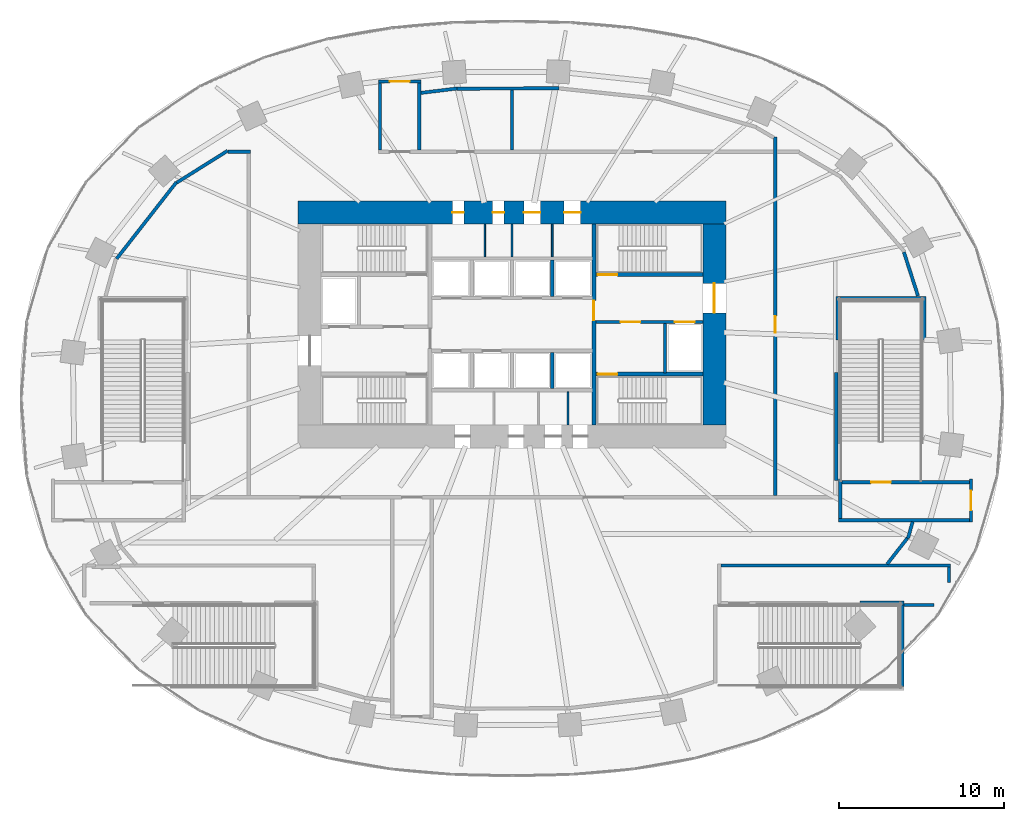
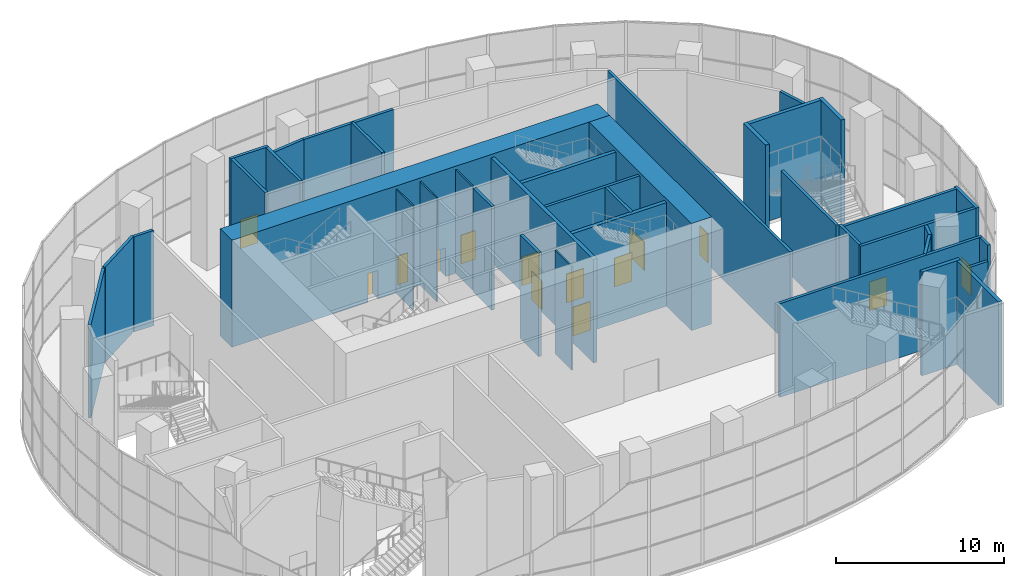
# One storey, part 15 of 22: 39 walls, 14 doors, 14 openings.
"""IFC4 building model written with IfcOpenShell, lengths in metres."""

from ifc_helpers import new_model, si_unit, direction, frame, frame_2d, origin, place, context, subcontext, project, spatial, rectangle, extrude, material, layer, layer_set, type_object, element, fill, save


model = new_model("IFC4")

# Units and contexts
model_context = context("Model", 3, precision=1e-05, world=origin(), true_north=direction((0.0, 1.0)))
body_context = subcontext(model_context, "Body", "Model", "MODEL_VIEW")
ifc_project = project(units=[si_unit("LENGTHUNIT", "METRE"), si_unit("AREAUNIT", "SQUARE_METRE"), si_unit("VOLUMEUNIT", "CUBIC_METRE"), si_unit("PLANEANGLEUNIT", "RADIAN"), si_unit("MASSUNIT", "GRAM", prefix="KILO")], contexts=[model_context])

# Site, building, storey
site_placement = place(None, origin())
site = spatial("IfcSite", under=ifc_project, at=site_placement, CompositionType="ELEMENT")
building_placement = place(site_placement, origin())
building = spatial("IfcBuilding", under=site, at=building_placement, Name="Rubra Terraces Tower", CompositionType="ELEMENT")
storey_placement = place(building_placement, frame((0.0, 0.0, 7.199951171875)))
storey = spatial("IfcBuildingStorey", under=building, at=storey_placement, Name="L01", CompositionType="ELEMENT", Elevation=7.199951171875)

# Wall, openings, doors
ifc_material_1 = material(Name="Concrete C70", Category="concrete")
ifc_layer_1 = layer(ifc_material_1, 1.39990234375)
ifc_layer_set_1 = layer_set([ifc_layer_1], Name="Concrete C70")
wall_type_1 = type_object("IfcWallType", Name="CORE WALL 1400 C70", PredefinedType="SHEAR", material=ifc_layer_set_1)
wall_1_placement = place(storey_placement, frame((-13.0, 11.300048828125, 0.0), z_axis=(0.0, 0.0, 1.0), x_axis=(1.0, 0.0, 0.0)))
wall_1 = element("IfcWall", 1, at=wall_1_placement, inside=storey, type_object=wall_type_1, Name="CORE WALL N L01", PredefinedType="SHEAR", context=body_context, shape_type="SweptSolid", body=[
    extrude(rectangle(XDim=26.0, YDim=1.39990234375, at=frame_2d((13.0, 0.0))), origin(), (0.0, 0.0, 1.0), 7.800048828125),
])
opening_1_placement = place(wall_1_placement, frame((9.375, 0.0, 0.0)))
opening_1 = element("IfcOpeningElement", 2, at=opening_1_placement, cuts=wall_1, Name="Opening L01.C23", PredefinedType="OPENING", context=body_context, shape_type="SweptSolid", body=[
    extrude(rectangle(XDim=0.699951171875, YDim=2.10009765625, at=frame_2d((0.35009765625, 1.050048828125))), frame((0.0, 0.7099609375, 0.0), z_axis=(0.0, -1.0, 0.0), x_axis=(1.0, 0.0, 0.0)), (0.0, 0.0, 1.0), 1.419921875),
])
opening_2_placement = place(wall_1_placement, frame((11.824951171875, 0.0, 0.0)))
opening_2 = element("IfcOpeningElement", 3, at=opening_2_placement, cuts=wall_1, Name="Opening L01.C24", PredefinedType="OPENING", context=body_context, shape_type="SweptSolid", body=[
    extrude(rectangle(XDim=0.699951171875, YDim=2.10009765625, at=frame_2d((0.35009765625, 1.050048828125))), frame((0.0, 0.7099609375, 0.0), z_axis=(0.0, -1.0, 0.0), x_axis=(1.0, 0.0, 0.0)), (0.0, 0.0, 1.0), 1.419921875),
])
opening_3_placement = place(wall_1_placement, frame((13.72509765625, 0.0, 0.0)))
opening_3 = element("IfcOpeningElement", 4, at=opening_3_placement, cuts=wall_1, Name="Opening L01.C25", PredefinedType="OPENING", context=body_context, shape_type="SweptSolid", body=[
    extrude(rectangle(XDim=1.0, YDim=2.10009765625, at=frame_2d((0.5, 1.050048828125))), frame((0.0, 0.7099609375, 0.0), z_axis=(0.0, -1.0, 0.0), x_axis=(1.0, 0.0, 0.0)), (0.0, 0.0, 1.0), 1.419921875),
])
opening_4_placement = place(wall_1_placement, frame((16.175048828125, 0.0, 0.0)))
opening_4 = element("IfcOpeningElement", 5, at=opening_4_placement, cuts=wall_1, Name="Opening L01.C26", PredefinedType="OPENING", context=body_context, shape_type="SweptSolid", body=[
    extrude(rectangle(XDim=1.0, YDim=2.10009765625, at=frame_2d((0.5, 1.050048828125))), frame((0.0, 0.7099609375, 0.0), z_axis=(0.0, -1.0, 0.0), x_axis=(1.0, 0.0, 0.0)), (0.0, 0.0, 1.0), 1.419921875),
])
ifc_material_2 = material(Name="Painted steel", Category="steel")
door_type_1 = type_object("IfcDoorType", Name="Fire door 1000x2100 single", OperationType="NOTDEFINED", PredefinedType="DOOR", material=ifc_material_2)
door_1_placement = place(opening_3_placement, origin())
door_1 = element("IfcDoor", 6, at=door_1_placement, inside=storey, type_object=door_type_1, Name="Security and building control room door", OperationType="SINGLE_SWING_LEFT", OverallHeight=2.10009765625, OverallWidth=1.0, PredefinedType="DOOR", context=body_context, shape_type="SweptSolid", body=[
    extrude(rectangle(XDim=1.0, YDim=2.10009765625, at=frame_2d((0.5, 1.050048828125))), frame((0.0, 0.02490234375, 0.0), z_axis=(0.0, -1.0, 0.0), x_axis=(1.0, 0.0, 0.0)), (0.0, 0.0, 1.0), 0.050048828125),
])
fill(opening_3, door_1)
door_2_placement = place(opening_4_placement, origin())
door_2 = element("IfcDoor", 7, at=door_2_placement, inside=storey, type_object=door_type_1, Name="General store door", OperationType="SINGLE_SWING_RIGHT", OverallHeight=2.10009765625, OverallWidth=1.0, PredefinedType="DOOR", context=body_context, shape_type="SweptSolid", body=[
    extrude(rectangle(XDim=1.0, YDim=2.10009765625, at=frame_2d((0.5, 1.050048828125))), frame((0.0, 0.02490234375, 0.0), z_axis=(0.0, -1.0, 0.0), x_axis=(1.0, 0.0, 0.0)), (0.0, 0.0, 1.0), 0.050048828125),
])
fill(opening_4, door_2)
door_type_2 = type_object("IfcDoorType", Name="Riser access door 700x2100 single", OperationType="NOTDEFINED", PredefinedType="DOOR", material=ifc_material_2)
door_3_placement = place(opening_1_placement, origin())
door_3 = element("IfcDoor", 8, at=door_3_placement, inside=storey, type_object=door_type_2, Name="Electrical riser room door", OperationType="SINGLE_SWING_LEFT", OverallHeight=2.10009765625, OverallWidth=0.699951171875, PredefinedType="DOOR", context=body_context, shape_type="SweptSolid", body=[
    extrude(rectangle(XDim=0.699951171875, YDim=2.10009765625, at=frame_2d((0.35009765625, 1.050048828125))), frame((0.0, 0.02490234375, 0.0), z_axis=(0.0, -1.0, 0.0), x_axis=(1.0, 0.0, 0.0)), (0.0, 0.0, 1.0), 0.050048828125),
])
fill(opening_1, door_3)
door_4_placement = place(opening_2_placement, origin())
door_4 = element("IfcDoor", 9, at=door_4_placement, inside=storey, type_object=door_type_2, Name="Telecoms room door", OperationType="SINGLE_SWING_RIGHT", OverallHeight=2.10009765625, OverallWidth=0.699951171875, PredefinedType="DOOR", context=body_context, shape_type="SweptSolid", body=[
    extrude(rectangle(XDim=0.699951171875, YDim=2.10009765625, at=frame_2d((0.35009765625, 1.050048828125))), frame((0.0, 0.02490234375, 0.0), z_axis=(0.0, -1.0, 0.0), x_axis=(1.0, 0.0, 0.0)), (0.0, 0.0, 1.0), 0.050048828125),
])
fill(opening_2, door_4)

# Wall, opening, door
wall_2_placement = place(storey_placement, frame((12.300048828125, -1.60009765625, 0.0), z_axis=(0.0, 0.0, 1.0), x_axis=(0.0, 1.0, 0.0)))
wall_2 = element("IfcWall", 10, at=wall_2_placement, inside=storey, type_object=wall_type_1, Name="CORE WALL E L01", PredefinedType="SHEAR", context=body_context, shape_type="SweptSolid", body=[
    extrude(rectangle(XDim=12.2001953125, YDim=1.39990234375, at=frame_2d((6.10009765625, 0.0))), origin(), (0.0, 0.0, 1.0), 7.800048828125),
])
opening_5_placement = place(wall_2_placement, frame((6.800048828125, 0.0, 0.0)))
opening_5 = element("IfcOpeningElement", 11, at=opening_5_placement, cuts=wall_2, Name="Opening L01.C02", PredefinedType="OPENING", context=body_context, shape_type="SweptSolid", body=[
    extrude(rectangle(XDim=1.800048828125, YDim=2.10009765625, at=frame_2d((0.89990234375, 1.050048828125))), frame((0.0, 0.7099609375, 0.0), z_axis=(0.0, -1.0, 0.0), x_axis=(1.0, 0.0, 0.0)), (0.0, 0.0, 1.0), 1.419921875),
])
door_type_3 = type_object("IfcDoorType", Name="Fire door 1800x2100 double", OperationType="NOTDEFINED", PredefinedType="DOOR", material=ifc_material_2)
door_5_placement = place(opening_5_placement, origin())
door_5 = element("IfcDoor", 12, at=door_5_placement, inside=storey, type_object=door_type_3, Name="Core entrance door FF2", OperationType="DOUBLE_DOOR_SINGLE_SWING", OverallHeight=2.10009765625, OverallWidth=1.800048828125, PredefinedType="DOOR", context=body_context, shape_type="SweptSolid", body=[
    extrude(rectangle(XDim=1.800048828125, YDim=2.10009765625, at=frame_2d((0.89990234375, 1.050048828125))), frame((0.0, 0.02490234375, 0.0), z_axis=(0.0, -1.0, 0.0), x_axis=(1.0, 0.0, 0.0)), (0.0, 0.0, 1.0), 0.050048828125),
])
fill(opening_5, door_5)

# Wall, openings, doors
ifc_material_3 = material(Name="Concrete C30", Category="concrete")
ifc_layer_2 = layer(ifc_material_3, 0.199951171875)
ifc_layer_set_2 = layer_set([ifc_layer_2], Name="Concrete C30")
wall_type_2 = type_object("IfcWallType", Name="Core wall 200 concrete", PredefinedType="SOLIDWALL", material=ifc_layer_set_2)
wall_3_placement = place(storey_placement, frame((11.60009765625, 4.64990234375, 0.0), z_axis=(0.0, 0.0, 1.0), x_axis=(-1.0, 0.0, 0.0)))
wall_3 = element("IfcWall", 13, at=wall_3_placement, inside=storey, type_object=wall_type_2, Name="STAIR WALL L01", PredefinedType="SOLIDWALL", context=body_context, shape_type="SweptSolid", body=[
    extrude(rectangle(XDim=6.5, YDim=0.199951171875, at=frame_2d((3.25, 0.0))), origin(), (0.0, 0.0, 1.0), 7.550048828125),
])
opening_6_placement = place(wall_3_placement, frame((3.800048828125, 0.0, 0.0)))
opening_6 = element("IfcOpeningElement", 14, at=opening_6_placement, cuts=wall_3, Name="Opening L01.C06", PredefinedType="OPENING", context=body_context, shape_type="SweptSolid", body=[
    extrude(rectangle(XDim=1.199951171875, YDim=2.10009765625, at=frame_2d((0.60009765625, 1.050048828125))), frame((0.0, 0.10986328125, 0.0), z_axis=(0.0, -1.0, 0.0), x_axis=(1.0, 0.0, 0.0)), (0.0, 0.0, 1.0), 0.219970703125),
])
opening_7_placement = place(wall_3_placement, frame((0.5, 0.0, 0.0)))
opening_7 = element("IfcOpeningElement", 15, at=opening_7_placement, cuts=wall_3, Name="Opening L01.C12", PredefinedType="OPENING", context=body_context, shape_type="SweptSolid", body=[
    extrude(rectangle(XDim=1.199951171875, YDim=2.10009765625, at=frame_2d((0.60009765625, 1.050048828125))), frame((0.0, 0.10986328125, 0.0), z_axis=(0.0, -1.0, 0.0), x_axis=(1.0, 0.0, 0.0)), (0.0, 0.0, 1.0), 0.219970703125),
])
door_type_4 = type_object("IfcDoorType", Name="Fire door 1200x2100 single", OperationType="NOTDEFINED", PredefinedType="DOOR", material=ifc_material_2)
door_6_placement = place(opening_6_placement, origin())
door_6 = element("IfcDoor", 16, at=door_6_placement, inside=storey, type_object=door_type_4, Name="Stair vestibule door S4", OperationType="SINGLE_SWING_RIGHT", OverallHeight=2.10009765625, OverallWidth=1.199951171875, PredefinedType="DOOR", context=body_context, shape_type="SweptSolid", body=[
    extrude(rectangle(XDim=1.199951171875, YDim=2.10009765625, at=frame_2d((0.60009765625, 1.050048828125))), frame((0.0, 0.02490234375, 0.0), z_axis=(0.0, -1.0, 0.0), x_axis=(1.0, 0.0, 0.0)), (0.0, 0.0, 1.0), 0.050048828125),
])
fill(opening_6, door_6)
ifc_material_4 = material(Name="Stainless steel", Category="steel")
door_type_5 = type_object("IfcDoorType", Name="Lift landing door 1200x2100", OperationType="NOTDEFINED", PredefinedType="DOOR", material=ifc_material_4)
door_7_placement = place(opening_7_placement, origin())
door_7 = element("IfcDoor", 17, at=door_7_placement, inside=storey, type_object=door_type_5, Name="Landing door FF2", OperationType="SLIDING_TO_RIGHT", OverallHeight=2.10009765625, OverallWidth=1.199951171875, PredefinedType="DOOR", context=body_context, shape_type="SweptSolid", body=[
    extrude(rectangle(XDim=1.199951171875, YDim=2.10009765625, at=frame_2d((0.60009765625, 1.050048828125))), frame((0.0, 0.02490234375, 0.0), z_axis=(0.0, -1.0, 0.0), x_axis=(1.0, 0.0, 0.0)), (0.0, 0.0, 1.0), 0.050048828125),
])
fill(opening_7, door_7)

# Walls
wall_4_placement = place(storey_placement, frame((9.300048828125, 4.550048828125, 0.0), z_axis=(0.0, 0.0, 1.0), x_axis=(0.0, -1.0, 0.0)))
element("IfcWall", 18, at=wall_4_placement, inside=storey, type_object=wall_type_2, Name="STAIR WALL L01", PredefinedType="SOLIDWALL", context=body_context, shape_type="SweptSolid", body=[
    extrude(rectangle(XDim=3.0, YDim=0.199951171875, at=frame_2d((1.5, 0.0))), origin(), (0.0, 0.0, 1.0), 7.550048828125),
])
for number, where, z_axis, x_axis, name in (
    (19, (2.449951171875, 0.60009765625, 0.0), (0.0, 0.0, 1.0), (0.0, 1.0, 0.0), "LIFT SHAFT WALL L01"),
    (20, (2.449951171875, 6.199951171875, 0.0), (0.0, 0.0, 1.0), (0.0, 1.0, 0.0), "LIFT SHAFT WALL L01"),
):
    element("IfcWall", number, at=place(storey_placement, frame(where, z_axis=z_axis, x_axis=x_axis)), inside=storey, type_object=wall_type_2, Name=name, PredefinedType="SOLIDWALL", context=body_context, shape_type="SweptSolid", body=[
        extrude(rectangle(XDim=2.199951171875, YDim=0.199951171875, at=frame_2d((1.10009765625, 0.0))), origin(), (0.0, 0.0, 1.0), 7.550048828125),
    ])

# Wall, opening, door
ifc_material_5 = material(Name="Blockwork", Category="masonry")
ifc_layer_3 = layer(ifc_material_5, 0.199951171875)
ifc_layer_set_3 = layer_set([ifc_layer_3], Name="Blockwork")
wall_type_3 = type_object("IfcWallType", Name="Corridor partition 200 blockwork", PredefinedType="PARTITIONING", material=ifc_layer_set_3)
wall_5_placement = place(storey_placement, frame((27.89990234375, -4.89990234375, 0.0), z_axis=(0.0, 0.0, 1.0), x_axis=(0.0, -1.0, 0.0)))
wall_5 = element("IfcWall", 21, at=wall_5_placement, inside=storey, type_object=wall_type_3, Name="Partition wall", PredefinedType="PARTITIONING", context=body_context, shape_type="SweptSolid", body=[
    extrude(rectangle(XDim=2.60009765625, YDim=0.199951171875, at=frame_2d((1.300048828125, 0.0))), origin(), (0.0, 0.0, 1.0), 6.830078125),
])
opening_8_placement = place(wall_5_placement, frame((0.699951171875, 0.0, 0.0)))
opening_8 = element("IfcOpeningElement", 22, at=opening_8_placement, cuts=wall_5, Name="Opening DB7", PredefinedType="OPENING", context=body_context, shape_type="SweptSolid", body=[
    extrude(rectangle(XDim=1.199951171875, YDim=2.10009765625, at=frame_2d((0.60009765625, 1.050048828125))), frame((0.0, 0.10986328125, 0.0), z_axis=(0.0, -1.0, 0.0), x_axis=(1.0, 0.0, 0.0)), (0.0, 0.0, 1.0), 0.219970703125),
])
ifc_material_6 = material(Name="Painted timber", Category="wood")
door_type_6 = type_object("IfcDoorType", Name="Door 1200x2100 single", OperationType="NOTDEFINED", PredefinedType="DOOR", material=ifc_material_6)
door_8_placement = place(opening_8_placement, origin())
door_8 = element("IfcDoor", 23, at=door_8_placement, inside=storey, type_object=door_type_6, Name="Door L01-08", OperationType="SINGLE_SWING_LEFT", OverallHeight=2.10009765625, OverallWidth=1.199951171875, PredefinedType="DOOR", context=body_context, shape_type="SweptSolid", body=[
    extrude(rectangle(XDim=1.199951171875, YDim=2.10009765625, at=frame_2d((0.60009765625, 1.050048828125))), frame((0.0, 0.02490234375, 0.0), z_axis=(0.0, -1.0, 0.0), x_axis=(1.0, 0.0, 0.0)), (0.0, 0.0, 1.0), 0.050048828125),
])
fill(opening_8, door_8)

# Walls
wall_6_placement = place(storey_placement, frame((27.800048828125, -7.39990234375, 0.0), z_axis=(0.0, 0.0, 1.0), x_axis=(-1.0, 0.0, 0.0)))
element("IfcWall", 24, at=wall_6_placement, inside=storey, type_object=wall_type_3, Name="Partition wall", PredefinedType="PARTITIONING", context=body_context, shape_type="SweptSolid", body=[
    extrude(rectangle(XDim=7.949951171875, YDim=0.199951171875, at=frame_2d((3.97509765625, 0.0))), origin(), (0.0, 0.0, 1.0), 6.830078125),
])
wall_7_placement = place(storey_placement, frame((19.949951171875, -7.300048828125, 0.0), z_axis=(0.0, 0.0, 1.0), x_axis=(0.0, 1.0, 0.0)))
element("IfcWall", 25, at=wall_7_placement, inside=storey, type_object=wall_type_3, Name="Partition wall", PredefinedType="PARTITIONING", context=body_context, shape_type="SweptSolid", body=[
    extrude(rectangle(XDim=2.400146484375, YDim=0.199951171875, at=frame_2d((1.2001953125, 0.0))), origin(), (0.0, 0.0, 1.0), 6.830078125),
])

# Wall, opening, door
wall_8_placement = place(storey_placement, frame((20.050048828125, -5.10009765625, 0.0), z_axis=(0.0, 0.0, 1.0), x_axis=(1.0, 0.0, 0.0)))
wall_8 = element("IfcWall", 26, at=wall_8_placement, inside=storey, type_object=wall_type_3, Name="Partition wall", PredefinedType="PARTITIONING", context=body_context, shape_type="SweptSolid", body=[
    extrude(rectangle(XDim=7.75, YDim=0.199951171875, at=frame_2d((3.875, 0.0))), origin(), (0.0, 0.0, 1.0), 6.830078125),
])
opening_9_placement = place(wall_8_placement, frame((1.77490234375, 0.0, 0.0)))
opening_9 = element("IfcOpeningElement", 27, at=opening_9_placement, cuts=wall_8, Name="Opening DB7", PredefinedType="OPENING", context=body_context, shape_type="SweptSolid", body=[
    extrude(rectangle(XDim=1.199951171875, YDim=2.10009765625, at=frame_2d((0.60009765625, 1.050048828125))), frame((0.0, 0.10986328125, 0.0), z_axis=(0.0, -1.0, 0.0), x_axis=(1.0, 0.0, 0.0)), (0.0, 0.0, 1.0), 0.219970703125),
])
door_9_placement = place(opening_9_placement, origin())
door_9 = element("IfcDoor", 28, at=door_9_placement, inside=storey, type_object=door_type_6, Name="Stair door L01-07", OperationType="SINGLE_SWING_LEFT", OverallHeight=2.10009765625, OverallWidth=1.199951171875, PredefinedType="DOOR", context=body_context, shape_type="SweptSolid", body=[
    extrude(rectangle(XDim=1.199951171875, YDim=2.10009765625, at=frame_2d((0.60009765625, 1.050048828125))), frame((0.0, 0.02490234375, 0.0), z_axis=(0.0, -1.0, 0.0), x_axis=(1.0, 0.0, 0.0)), (0.0, 0.0, 1.0), 0.050048828125),
])
fill(opening_9, door_9)

# Walls
wall_9_placement = place(storey_placement, frame((25.659912109375, -12.550048828125, 0.0), z_axis=(0.0, 0.0, 1.0), x_axis=(-1.0, 0.0, 0.0)))
element("IfcWall", 29, at=wall_9_placement, inside=storey, type_object=wall_type_3, Name="Partition wall", PredefinedType="PARTITIONING", context=body_context, shape_type="SweptSolid", body=[
    extrude(rectangle(XDim=1.829833984375, YDim=0.199951171875, at=frame_2d((0.9150390625, 0.0))), origin(), (0.0, 0.0, 1.0), 6.830078125),
])
wall_10_placement = place(storey_placement, frame((12.699951171875, -10.14990234375, 0.0), z_axis=(0.0, 0.0, 1.0), x_axis=(1.0, 0.0, 0.0)))
element("IfcWall", 30, at=wall_10_placement, inside=storey, type_object=wall_type_3, Name="Partition wall", PredefinedType="PARTITIONING", context=body_context, shape_type="SweptSolid", body=[
    extrude(rectangle(XDim=13.9599609375, YDim=0.199951171875, at=frame_2d((6.97998046875, 0.0))), origin(), (0.0, 0.0, 1.0), 6.830078125),
])
wall_11_placement = place(storey_placement, frame((26.56005859375, -10.25, 0.0), z_axis=(0.0, 0.0, 1.0), x_axis=(0.0, -1.0, 0.0)))
element("IfcWall", 31, at=wall_11_placement, inside=storey, type_object=wall_type_3, Name="Partition wall", PredefinedType="PARTITIONING", context=body_context, shape_type="SweptSolid", body=[
    extrude(rectangle(XDim=0.93896484375, YDim=0.199951171875, at=frame_2d((0.469482421875, 0.0))), origin(), (0.0, 0.0, 1.0), 6.830078125),
])

# Wall, opening, door
wall_12_placement = place(storey_placement, frame((-8.1279296875, 19.258056640625, 0.0), z_axis=(0.0, 0.0, 1.0), x_axis=(1.0, 0.0, 0.0)))
wall_12 = element("IfcWall", 32, at=wall_12_placement, inside=storey, type_object=wall_type_3, Name="Partition wall", PredefinedType="PARTITIONING", context=body_context, shape_type="SweptSolid", body=[
    extrude(rectangle(XDim=2.599853515625, YDim=0.199951171875, at=frame_2d((1.2998046875, 0.0))), origin(), (0.0, 0.0, 1.0), 6.830078125),
])
opening_10_placement = place(wall_12_placement, frame((0.699951171875, 0.0, 0.0)))
opening_10 = element("IfcOpeningElement", 33, at=opening_10_placement, cuts=wall_12, Name="Opening DB7", PredefinedType="OPENING", context=body_context, shape_type="SweptSolid", body=[
    extrude(rectangle(XDim=1.199951171875, YDim=2.10009765625, at=frame_2d((0.60009765625, 1.050048828125))), frame((0.0, 0.10986328125, 0.0), z_axis=(0.0, -1.0, 0.0), x_axis=(1.0, 0.0, 0.0)), (0.0, 0.0, 1.0), 0.219970703125),
])
door_10_placement = place(opening_10_placement, origin())
door_10 = element("IfcDoor", 34, at=door_10_placement, inside=storey, type_object=door_type_6, Name="Door L01-02", OperationType="SINGLE_SWING_LEFT", OverallHeight=2.10009765625, OverallWidth=1.199951171875, PredefinedType="DOOR", context=body_context, shape_type="SweptSolid", body=[
    extrude(rectangle(XDim=1.199951171875, YDim=2.10009765625, at=frame_2d((0.60009765625, 1.050048828125))), frame((0.0, 0.02490234375, 0.0), z_axis=(0.0, -1.0, 0.0), x_axis=(1.0, 0.0, 0.0)), (0.0, 0.0, 1.0), 0.050048828125),
])
fill(opening_10, door_10)

# Walls
for number, where, z_axis, x_axis, name in (
    (35, (-5.6279296875, 19.157958984375, 0.0), (0.0, 0.0, 1.0), (0.0, -1.0, 0.0), "Partition wall"),
    (36, (-8.028076171875, 15.10009765625, 0.0), (0.0, 0.0, 1.0), (0.0, 1.0, 0.0), "Partition wall"),
):
    element("IfcWall", number, at=place(storey_placement, frame(where, z_axis=z_axis, x_axis=x_axis)), inside=storey, type_object=wall_type_3, Name=name, PredefinedType="PARTITIONING", context=body_context, shape_type="SweptSolid", body=[
        extrude(rectangle(XDim=4.057861328125, YDim=0.199951171875, at=frame_2d((2.02880859375, 0.0))), origin(), (0.0, 0.0, 1.0), 6.830078125),
    ])
wall_13_placement = place(storey_placement, frame((-24.031005859375, 8.486083984375, 0.0), z_axis=(0.0, 0.0, 1.0), x_axis=(0.615689744566, 0.787988666439, 0.0)))
element("IfcWall", 37, at=wall_13_placement, inside=storey, type_object=wall_type_3, Name="Partition wall", PredefinedType="PARTITIONING", context=body_context, shape_type="SweptSolid", body=[
    extrude(rectangle(XDim=5.90869140625, YDim=0.199951171875, at=frame_2d((2.954345703125, 0.0))), origin(), (0.0, 0.0, 1.0), 6.830078125),
])
wall_14_placement = place(storey_placement, frame((23.81689453125, 8.89111328125, 0.0), z_axis=(0.0, 0.0, 1.0), x_axis=(0.306913488124, -0.951737416942, 0.0)))
element("IfcWall", 38, at=wall_14_placement, inside=storey, type_object=wall_type_3, Name="Partition wall", PredefinedType="PARTITIONING", context=body_context, shape_type="SweptSolid", body=[
    extrude(rectangle(XDim=2.796142578125, YDim=0.199951171875, at=frame_2d((1.39794921875, 0.0))), origin(), (0.0, 0.0, 1.0), 6.830078125),
])

# Wall, opening, door
wall_15_placement = place(storey_placement, frame((16.0, -5.89990234375, 0.0), z_axis=(0.0, 0.0, 1.0), x_axis=(0.0, 1.0, 0.0)))
wall_15 = element("IfcWall", 39, at=wall_15_placement, inside=storey, type_object=wall_type_3, Name="Partition wall", PredefinedType="PARTITIONING", context=body_context, shape_type="SweptSolid", body=[
    extrude(rectangle(XDim=21.7919921875, YDim=0.199951171875, at=frame_2d((10.89599609375, 0.0))), origin(), (0.0, 0.0, 1.0), 6.830078125),
])
opening_11_placement = place(wall_15_placement, frame((9.89990234375, 0.0, 0.0)))
opening_11 = element("IfcOpeningElement", 40, at=opening_11_placement, cuts=wall_15, Name="Opening DB1", PredefinedType="OPENING", context=body_context, shape_type="SweptSolid", body=[
    extrude(rectangle(XDim=1.0, YDim=2.10009765625, at=frame_2d((0.5, 1.050048828125))), frame((0.0, 0.10986328125, 0.0), z_axis=(0.0, -1.0, 0.0), x_axis=(1.0, 0.0, 0.0)), (0.0, 0.0, 1.0), 0.219970703125),
])
door_type_7 = type_object("IfcDoorType", Name="Door 1000x2100 single", OperationType="NOTDEFINED", PredefinedType="DOOR", material=ifc_material_6)
door_11_placement = place(opening_11_placement, origin())
door_11 = element("IfcDoor", 41, at=door_11_placement, inside=storey, type_object=door_type_7, Name="Door L01-12", OperationType="SINGLE_SWING_LEFT", OverallHeight=2.10009765625, OverallWidth=1.0, PredefinedType="DOOR", context=body_context, shape_type="SweptSolid", body=[
    extrude(rectangle(XDim=1.0, YDim=2.10009765625, at=frame_2d((0.5, 1.050048828125))), frame((0.0, 0.02490234375, 0.0), z_axis=(0.0, -1.0, 0.0), x_axis=(1.0, 0.0, 0.0)), (0.0, 0.0, 1.0), 0.050048828125),
])
fill(opening_11, door_11)

# Walls
wall_16_placement = place(storey_placement, frame((-5.529052734375, 18.570068359375, 0.0), z_axis=(0.0, 0.0, 1.0), x_axis=(0.992659217013, 0.120944941522, 0.0)))
element("IfcWall", 42, at=wall_16_placement, inside=storey, type_object=wall_type_3, Name="Partition wall", PredefinedType="PARTITIONING", context=body_context, shape_type="SweptSolid", body=[
    extrude(rectangle(XDim=2.1982421875, YDim=0.199951171875, at=frame_2d((1.09912109375, 0.0))), origin(), (0.0, 0.0, 1.0), 6.830078125),
])
wall_17_placement = place(storey_placement, frame((-3.345947265625, 18.823974609375, 0.0), z_axis=(0.0, 0.0, 1.0), x_axis=(0.999988297333, 0.004837891778, 0.0)))
element("IfcWall", 43, at=wall_17_placement, inside=storey, type_object=wall_type_3, Name="Partition wall", PredefinedType="PARTITIONING", context=body_context, shape_type="SweptSolid", body=[
    extrude(rectangle(XDim=6.20703125, YDim=0.199951171875, at=frame_2d((3.103515625, 0.0))), origin(), (0.0, 0.0, 1.0), 6.830078125),
])
wall_18_placement = place(storey_placement, frame((24.344970703125, -7.49609375, 0.0), z_axis=(0.0, 0.0, 1.0), x_axis=(-0.267089429493, -0.963671747357, 0.0)))
element("IfcWall", 44, at=wall_18_placement, inside=storey, type_object=wall_type_3, Name="Partition wall", PredefinedType="PARTITIONING", context=body_context, shape_type="SweptSolid", body=[
    extrude(rectangle(XDim=1.044677734375, YDim=0.199951171875, at=frame_2d((0.5224609375, 0.0))), origin(), (0.0, 0.0, 1.0), 6.830078125),
])
wall_19_placement = place(storey_placement, frame((24.031005859375, -8.486083984375, 0.0), z_axis=(0.0, 0.0, 1.0), x_axis=(-0.615578080386, -0.788075901768, 0.0)))
element("IfcWall", 45, at=wall_19_placement, inside=storey, type_object=wall_type_3, Name="Partition wall", PredefinedType="PARTITIONING", context=body_context, shape_type="SweptSolid", body=[
    extrude(rectangle(XDim=2.01123046875, YDim=0.199951171875, at=frame_2d((1.005615234375, 0.0))), origin(), (0.0, 0.0, 1.0), 6.830078125),
])
ifc_layer_4 = layer(ifc_material_5, 0.199951171875)
ifc_layer_set_4 = layer_set([ifc_layer_4], Name="Blockwork")
wall_type_4 = type_object("IfcWallType", Name="Room partition 200 blockwork", PredefinedType="PARTITIONING", material=ifc_layer_set_4)
wall_20_placement = place(storey_placement, frame((-20.3701171875, 13.115966796875, 0.0), z_axis=(0.0, 0.0, 1.0), x_axis=(0.847067442561, 0.531485416313, 0.0)))
element("IfcWall", 46, at=wall_20_placement, inside=storey, type_object=wall_type_4, Name="Partition wall", PredefinedType="PARTITIONING", context=body_context, shape_type="SweptSolid", body=[
    extrude(rectangle(XDim=3.64453125, YDim=0.199951171875, at=frame_2d((1.822265625, 0.0))), origin(), (0.0, 0.0, 1.0), 6.93408203125),
])
wall_21_placement = place(storey_placement, frame((-17.26806640625, 15.0, 0.0), z_axis=(0.0, 0.0, 1.0), x_axis=(1.0, 0.0, 0.0)))
element("IfcWall", 47, at=wall_21_placement, inside=storey, type_object=wall_type_4, Name="Partition wall", PredefinedType="PARTITIONING", context=body_context, shape_type="SweptSolid", body=[
    extrude(rectangle(XDim=1.3681640625, YDim=0.199951171875, at=frame_2d((0.68408203125, 0.0))), origin(), (0.0, 0.0, 1.0), 6.93408203125),
])
wall_22_placement = place(storey_placement, frame((19.699951171875, 1.580078125, 0.0), z_axis=(0.0, 0.0, 1.0), x_axis=(0.0, -1.0, 0.0)))
element("IfcWall", 48, at=wall_22_placement, inside=storey, type_object=wall_type_4, Name="Partition wall", PredefinedType="PARTITIONING", context=body_context, shape_type="SweptSolid", body=[
    extrude(rectangle(XDim=6.580078125, YDim=0.199951171875, at=frame_2d((3.2900390625, 0.0))), origin(), (0.0, 0.0, 1.0), 6.93408203125),
])
wall_23_placement = place(storey_placement, frame((0.0, 18.740966796875, 0.0), z_axis=(0.0, 0.0, 1.0), x_axis=(0.0, -1.0, 0.0)))
element("IfcWall", 49, at=wall_23_placement, inside=storey, type_object=wall_type_4, Name="Partition wall", PredefinedType="PARTITIONING", context=body_context, shape_type="SweptSolid", body=[
    extrude(rectangle(XDim=3.640869140625, YDim=0.199951171875, at=frame_2d((1.8203125, 0.0))), origin(), (0.0, 0.0, 1.0), 6.93408203125),
])
ifc_layer_5 = layer(ifc_material_5, 0.10009765625)
ifc_layer_set_5 = layer_set([ifc_layer_5], Name="Blockwork")
wall_type_5 = type_object("IfcWallType", Name="Service partition 100 blockwork", PredefinedType="PARTITIONING", material=ifc_layer_set_5)
for number, where, z_axis, x_axis, name in (
    (50, (3.39990234375, -1.60009765625, 0.0), (0.0, 0.0, 1.0), (0.0, 1.0, 0.0), "SERVICE ROOM PARTITION L01"),
    (51, (-1.64990234375, 8.60009765625, 0.0), (0.0, 0.0, 1.0), (0.0, 1.0, 0.0), "SERVICE ROOM PARTITION L01"),
    (52, (0.0, 8.60009765625, 0.0), (0.0, 0.0, 1.0), (0.0, 1.0, 0.0), "SERVICE ROOM PARTITION L01"),
    (53, (2.449951171875, 8.60009765625, 0.0), (0.0, 0.0, 1.0), (0.0, 1.0, 0.0), "SERVICE ROOM PARTITION L01"),
):
    element("IfcWall", number, at=place(storey_placement, frame(where, z_axis=z_axis, x_axis=x_axis)), inside=storey, type_object=wall_type_5, Name=name, PredefinedType="PARTITIONING", context=body_context, shape_type="SweptSolid", body=[
        extrude(rectangle(XDim=2.0, YDim=0.10009765625, at=frame_2d((1.0, 0.0))), origin(), (0.0, 0.0, 1.0), 7.550048828125),
    ])

# Wall, opening, door
ifc_material_7 = material(Name="Concrete C40", Category="concrete")
ifc_layer_6 = layer(ifc_material_7, 0.25)
ifc_layer_set_6 = layer_set([ifc_layer_6], Name="Concrete C40")
wall_type_6 = type_object("IfcWallType", Name="Stair enclosure wall 250 concrete", PredefinedType="SOLIDWALL", material=ifc_layer_set_6)
wall_24_placement = place(storey_placement, frame((11.60009765625, 7.52490234375, 0.0), z_axis=(0.0, 0.0, 1.0), x_axis=(-1.0, 0.0, 0.0)))
wall_24 = element("IfcWall", 54, at=wall_24_placement, inside=storey, type_object=wall_type_6, Name="STAIR WALL L01", PredefinedType="SOLIDWALL", context=body_context, shape_type="SweptSolid", body=[
    extrude(rectangle(XDim=6.5, YDim=0.25, at=frame_2d((3.25, 0.0))), origin(), (0.0, 0.0, 1.0), 7.550048828125),
])
opening_12_placement = place(wall_24_placement, frame((5.199951171875, 0.0, 0.0)))
opening_12 = element("IfcOpeningElement", 55, at=opening_12_placement, cuts=wall_24, Name="Opening L01.C08", PredefinedType="OPENING", context=body_context, shape_type="SweptSolid", body=[
    extrude(rectangle(XDim=1.199951171875, YDim=2.10009765625, at=frame_2d((0.60009765625, 1.050048828125))), frame((0.0, 0.135009765625, 0.0), z_axis=(0.0, -1.0, 0.0), x_axis=(1.0, 0.0, 0.0)), (0.0, 0.0, 1.0), 0.27001953125),
])
door_12_placement = place(opening_12_placement, origin())
door_12 = element("IfcDoor", 56, at=door_12_placement, inside=storey, type_object=door_type_4, Name="Stair door S3", OperationType="SINGLE_SWING_RIGHT", OverallHeight=2.10009765625, OverallWidth=1.199951171875, PredefinedType="DOOR", context=body_context, shape_type="SweptSolid", body=[
    extrude(rectangle(XDim=1.199951171875, YDim=2.10009765625, at=frame_2d((0.60009765625, 1.050048828125))), frame((0.0, 0.02490234375, 0.0), z_axis=(0.0, -1.0, 0.0), x_axis=(1.0, 0.0, 0.0)), (0.0, 0.0, 1.0), 0.050048828125),
])
fill(opening_12, door_12)

wall_25_placement = place(storey_placement, frame((11.60009765625, 1.47509765625, 0.0), z_axis=(0.0, 0.0, 1.0), x_axis=(-1.0, 0.0, 0.0)))
wall_25 = element("IfcWall", 57, at=wall_25_placement, inside=storey, type_object=wall_type_6, Name="STAIR WALL L01", PredefinedType="SOLIDWALL", context=body_context, shape_type="SweptSolid", body=[
    extrude(rectangle(XDim=6.5, YDim=0.25, at=frame_2d((3.25, 0.0))), origin(), (0.0, 0.0, 1.0), 7.550048828125),
])
opening_13_placement = place(wall_25_placement, frame((5.199951171875, 0.0, 0.0)))
opening_13 = element("IfcOpeningElement", 58, at=opening_13_placement, cuts=wall_25, Name="Opening L01.C10", PredefinedType="OPENING", context=body_context, shape_type="SweptSolid", body=[
    extrude(rectangle(XDim=1.199951171875, YDim=2.10009765625, at=frame_2d((0.60009765625, 1.050048828125))), frame((0.0, 0.135009765625, 0.0), z_axis=(0.0, -1.0, 0.0), x_axis=(1.0, 0.0, 0.0)), (0.0, 0.0, 1.0), 0.27001953125),
])
door_13_placement = place(opening_13_placement, origin())
door_13 = element("IfcDoor", 59, at=door_13_placement, inside=storey, type_object=door_type_4, Name="Stair door S4", OperationType="SINGLE_SWING_RIGHT", OverallHeight=2.10009765625, OverallWidth=1.199951171875, PredefinedType="DOOR", context=body_context, shape_type="SweptSolid", body=[
    extrude(rectangle(XDim=1.199951171875, YDim=2.10009765625, at=frame_2d((0.60009765625, 1.050048828125))), frame((0.0, 0.02490234375, 0.0), z_axis=(0.0, -1.0, 0.0), x_axis=(1.0, 0.0, 0.0)), (0.0, 0.0, 1.0), 0.050048828125),
])
fill(opening_13, door_13)

wall_26_placement = place(storey_placement, frame((4.97509765625, 10.60009765625, 0.0), z_axis=(0.0, 0.0, 1.0), x_axis=(0.0, -1.0, 0.0)))
wall_26 = element("IfcWall", 60, at=wall_26_placement, inside=storey, type_object=wall_type_6, Name="CORE LOBBY WALL L01", PredefinedType="SOLIDWALL", context=body_context, shape_type="SweptSolid", body=[
    extrude(rectangle(XDim=12.2001953125, YDim=0.25, at=frame_2d((6.10009765625, 0.0))), origin(), (0.0, 0.0, 1.0), 7.550048828125),
])
opening_14_placement = place(wall_26_placement, frame((4.64990234375, 0.0, 0.0)))
opening_14 = element("IfcOpeningElement", 61, at=opening_14_placement, cuts=wall_26, Name="Opening L01.C04", PredefinedType="OPENING", context=body_context, shape_type="SweptSolid", body=[
    extrude(rectangle(XDim=1.199951171875, YDim=2.10009765625, at=frame_2d((0.60009765625, 1.050048828125))), frame((0.0, 0.135009765625, 0.0), z_axis=(0.0, -1.0, 0.0), x_axis=(1.0, 0.0, 0.0)), (0.0, 0.0, 1.0), 0.27001953125),
])
door_14_placement = place(opening_14_placement, origin())
door_14 = element("IfcDoor", 62, at=door_14_placement, inside=storey, type_object=door_type_4, Name="Firefighting lobby door FF2", OperationType="SINGLE_SWING_RIGHT", OverallHeight=2.10009765625, OverallWidth=1.199951171875, PredefinedType="DOOR", context=body_context, shape_type="SweptSolid", body=[
    extrude(rectangle(XDim=1.199951171875, YDim=2.10009765625, at=frame_2d((0.60009765625, 1.050048828125))), frame((0.0, 0.02490234375, 0.0), z_axis=(0.0, -1.0, 0.0), x_axis=(1.0, 0.0, 0.0)), (0.0, 0.0, 1.0), 0.050048828125),
])
fill(opening_14, door_14)

# Walls
ifc_material_8 = material(Name="Concrete C40/50", Category="concrete")
ifc_layer_7 = layer(ifc_material_8, 0.25)
ifc_layer_set_7 = layer_set([ifc_layer_7], Name="Concrete C40/50")
wall_type_7 = type_object("IfcWallType", Name="Stair end wall 250 concrete", PredefinedType="SOLIDWALL", material=ifc_layer_set_7)
wall_27_placement = place(storey_placement, frame((24.89990234375, 6.0849609375, 0.0), z_axis=(0.0, 0.0, 1.0), x_axis=(-1.0, 0.0, 0.0)))
element("IfcWall", 63, at=wall_27_placement, inside=storey, type_object=wall_type_7, Name="Stair end wall", PredefinedType="SOLIDWALL", context=body_context, shape_type="SweptSolid", body=[
    extrude(rectangle(XDim=4.949951171875, YDim=0.25, at=frame_2d((2.47509765625, 0.0))), origin(), (0.0, 0.0, 1.0), 7.550048828125),
])
for number, where, z_axis, x_axis, name in (
    (64, (19.824951171875, 3.56005859375, 0.0), (0.0, 0.0, 1.0), (0.0, 1.0, 0.0), "Stair end wall"),
    (65, (25.02490234375, 3.56005859375, 0.0), (0.0, 0.0, 1.0), (0.0, 1.0, 0.0), "Stair end wall"),
):
    element("IfcWall", number, at=place(storey_placement, frame(where, z_axis=z_axis, x_axis=x_axis)), inside=storey, type_object=wall_type_7, Name=name, PredefinedType="SOLIDWALL", context=body_context, shape_type="SweptSolid", body=[
        extrude(rectangle(XDim=2.64990234375, YDim=0.25, at=frame_2d((1.324951171875, 0.0))), origin(), (0.0, 0.0, 1.0), 7.550048828125),
    ])
wall_28_placement = place(storey_placement, frame((23.68505859375, -17.5, 0.0), z_axis=(0.0, 0.0, 1.0), x_axis=(0.0, 1.0, 0.0)))
element("IfcWall", 66, at=wall_28_placement, inside=storey, type_object=wall_type_7, Name="Stair end wall", PredefinedType="SOLIDWALL", context=body_context, shape_type="SweptSolid", body=[
    extrude(rectangle(XDim=4.949951171875, YDim=0.25, at=frame_2d((2.47509765625, 0.0))), origin(), (0.0, 0.0, 1.0), 7.550048828125),
])
wall_29_placement = place(storey_placement, frame((21.159912109375, -12.425048828125, 0.0), z_axis=(0.0, 0.0, 1.0), x_axis=(1.0, 0.0, 0.0)))
element("IfcWall", 67, at=wall_29_placement, inside=storey, type_object=wall_type_7, Name="Stair end wall", PredefinedType="SOLIDWALL", context=body_context, shape_type="SweptSolid", body=[
    extrude(rectangle(XDim=2.650146484375, YDim=0.25, at=frame_2d((1.3251953125, 0.0))), origin(), (0.0, 0.0, 1.0), 7.550048828125),
])

save(model, "model.ifc")
